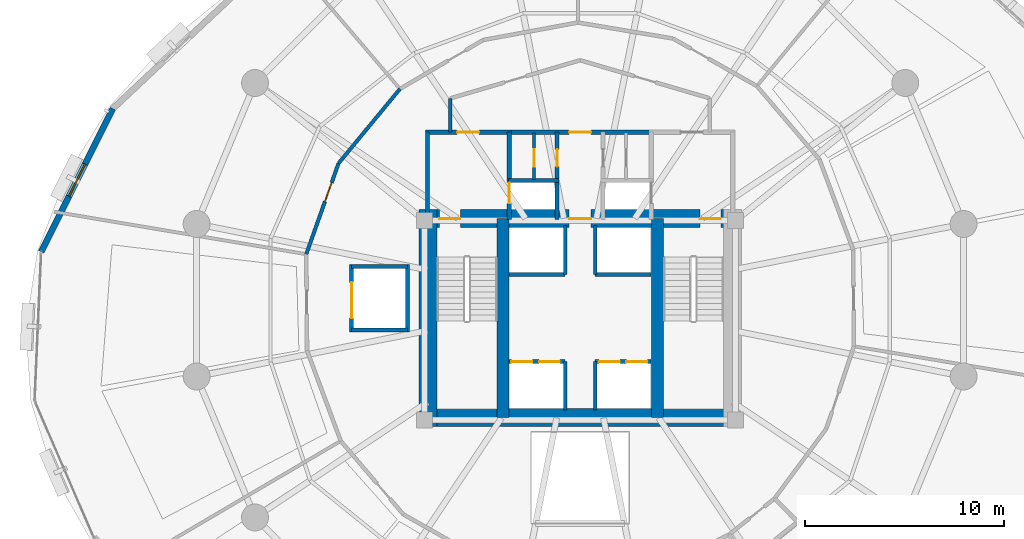
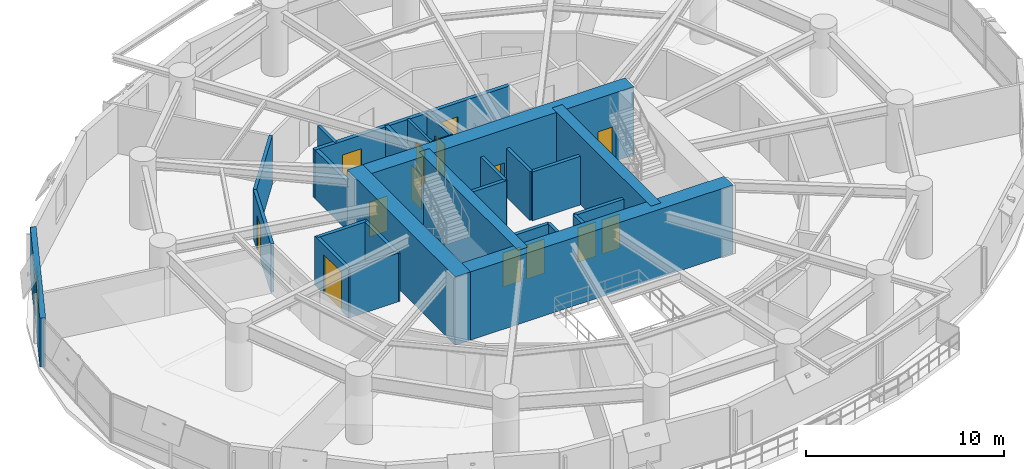
# One storey, part 12 of 17: 28 walls, 14 doors, 1 window, 15 openings.
"""IFC4 building model written with IfcOpenShell, lengths in metres."""

from ifc_helpers import new_model, si_unit, direction, frame, frame_2d, origin, place, context, subcontext, project, spatial, rectangle, extrude, material, layer, layer_set, type_object, element, fill, save


model = new_model("IFC4")

# Units and contexts
model_context = context("Model", 3, precision=1e-05, world=origin(), true_north=direction((0.0, 1.0)))
body_context = subcontext(model_context, "Body", "Model", "MODEL_VIEW")
ifc_project = project(units=[si_unit("LENGTHUNIT", "METRE"), si_unit("AREAUNIT", "SQUARE_METRE"), si_unit("VOLUMEUNIT", "CUBIC_METRE"), si_unit("PLANEANGLEUNIT", "RADIAN"), si_unit("MASSUNIT", "GRAM", prefix="KILO"), si_unit("THERMODYNAMICTEMPERATUREUNIT", "KELVIN"), si_unit("POWERUNIT", "WATT")], contexts=[model_context])

# Site, building, storey
site_placement = place(None, origin())
site = spatial("IfcSite", under=ifc_project, at=site_placement, CompositionType="ELEMENT")
building_placement = place(site_placement, origin())
building = spatial("IfcBuilding", under=site, at=building_placement, Name="Ocrelia Relay Tower", CompositionType="ELEMENT")
storey_placement = place(building_placement, frame((0.0, 0.0, 76.199951171875)))
storey = spatial("IfcBuildingStorey", under=building, at=storey_placement, Name="L17", CompositionType="ELEMENT", Elevation=76.199951171875)

# Wall
ifc_material_1 = material(Name="Concrete C70/85", Category="concrete")
ifc_layer_1 = layer(ifc_material_1, 0.89990234375, Name="Concrete C70/85")
ifc_layer_set_1 = layer_set([ifc_layer_1], Name="Concrete C70/85")
wall_type_1 = type_object("IfcWallType", Name="CW-CORE-900", PredefinedType="SHEAR", material=ifc_layer_set_1)
wall_1_placement = place(storey_placement, frame((25.922119140625, 20.112060546875, 0.0), z_axis=(0.0, 0.0, 1.0), x_axis=(1.0, 0.0, 0.0)))
element("IfcWall", 1, at=wall_1_placement, inside=storey, type_object=wall_type_1, Name="L17 Core Shear Wall S", PredefinedType="SHEAR", context=body_context, shape_type="SweptSolid", body=[
    extrude(rectangle(XDim=16.165771484375, YDim=0.89990234375, at=frame_2d((8.0830078125, 0.0))), origin(), (0.0, 0.0, 1.0), 4.199951171875),
])

# Wall, openings, doors
wall_2_placement = place(storey_placement, frame((25.922119140625, 30.087890625, 0.0), z_axis=(0.0, 0.0, 1.0), x_axis=(1.0, 0.0, 0.0)))
wall_2 = element("IfcWall", 2, at=wall_2_placement, inside=storey, type_object=wall_type_1, Name="L17 Core Shear Wall N", PredefinedType="SHEAR", context=body_context, shape_type="SweptSolid", body=[
    extrude(rectangle(XDim=16.165771484375, YDim=0.89990234375, at=frame_2d((8.0830078125, 0.0))), origin(), (0.0, 0.0, 1.0), 4.199951171875),
])
opening_1_placement = place(wall_2_placement, frame((1.028076171875, 0.0, 0.0)))
opening_1 = element("IfcOpeningElement", 3, at=opening_1_placement, cuts=wall_2, Name="Opening D-FD90", PredefinedType="OPENING", context=body_context, shape_type="SweptSolid", body=[
    extrude(rectangle(XDim=1.050048828125, YDim=2.14990234375, at=frame_2d((0.52490234375, 1.074951171875))), frame((0.0, 0.4599609375, 0.0), z_axis=(0.0, -1.0, 0.0), x_axis=(1.0, 0.0, 0.0)), (0.0, 0.0, 1.0), 0.919921875),
])
opening_2_placement = place(wall_2_placement, frame((14.077880859375, 0.0, 0.0)))
opening_2 = element("IfcOpeningElement", 4, at=opening_2_placement, cuts=wall_2, Name="Opening D-FD90", PredefinedType="OPENING", context=body_context, shape_type="SweptSolid", body=[
    extrude(rectangle(XDim=1.050048828125, YDim=2.14990234375, at=frame_2d((0.52490234375, 1.074951171875))), frame((0.0, 0.4599609375, 0.0), z_axis=(0.0, -1.0, 0.0), x_axis=(1.0, 0.0, 0.0)), (0.0, 0.0, 1.0), 0.919921875),
])
opening_3_placement = place(wall_2_placement, frame((7.528076171875, 0.0, 0.0)))
opening_3 = element("IfcOpeningElement", 5, at=opening_3_placement, cuts=wall_2, Name="Opening D-FD60", PredefinedType="OPENING", context=body_context, shape_type="SweptSolid", body=[
    extrude(rectangle(XDim=1.10009765625, YDim=2.14990234375, at=frame_2d((0.550048828125, 1.074951171875))), frame((0.0, 0.4599609375, 0.0), z_axis=(0.0, -1.0, 0.0), x_axis=(1.0, 0.0, 0.0)), (0.0, 0.0, 1.0), 0.919921875),
])
ifc_material_2 = material(Name="Timber-core 60-min acoustic fire door", Category="wood")
door_type_1 = type_object("IfcDoorType", Name="DR-LOBBY-FD60-1100", OperationType="NOTDEFINED", PredefinedType="DOOR", material=ifc_material_2)
door_1_placement = place(opening_3_placement, origin())
door_1 = element("IfcDoor", 6, at=door_1_placement, inside=storey, type_object=door_type_1, Name="L17 Core Lift Lobby North Fire Door", OperationType="SINGLE_SWING_RIGHT", OverallHeight=2.14990234375, OverallWidth=1.10009765625, PredefinedType="DOOR", context=body_context, shape_type="SweptSolid", body=[
    extrude(rectangle(XDim=1.10009765625, YDim=2.14990234375, at=frame_2d((0.550048828125, 1.074951171875))), frame((0.0, 0.02490234375, 0.0), z_axis=(0.0, -1.0, 0.0), x_axis=(1.0, 0.0, 0.0)), (0.0, 0.0, 1.0), 0.050048828125),
])
fill(opening_3, door_1)
ifc_material_3 = material(Name="Steel S355 90-min fire door", Category="steel")
door_type_2 = type_object("IfcDoorType", Name="DR-STAIR-FD90-1050", OperationType="NOTDEFINED", PredefinedType="DOOR", material=ifc_material_3)
door_2_placement = place(opening_1_placement, origin())
door_2 = element("IfcDoor", 7, at=door_2_placement, inside=storey, type_object=door_type_2, Name="L17 Stair ST1 Fire Door", OperationType="SINGLE_SWING_RIGHT", OverallHeight=2.14990234375, OverallWidth=1.050048828125, PredefinedType="DOOR", context=body_context, shape_type="SweptSolid", body=[
    extrude(rectangle(XDim=1.050048828125, YDim=2.14990234375, at=frame_2d((0.52490234375, 1.074951171875))), frame((0.0, 0.02490234375, 0.0), z_axis=(0.0, -1.0, 0.0), x_axis=(1.0, 0.0, 0.0)), (0.0, 0.0, 1.0), 0.050048828125),
])
fill(opening_1, door_2)
door_3_placement = place(opening_2_placement, origin())
door_3 = element("IfcDoor", 8, at=door_3_placement, inside=storey, type_object=door_type_2, Name="L17 Stair ST2 Fire Door", OperationType="SINGLE_SWING_LEFT", OverallHeight=2.14990234375, OverallWidth=1.050048828125, PredefinedType="DOOR", context=body_context, shape_type="SweptSolid", body=[
    extrude(rectangle(XDim=1.050048828125, YDim=2.14990234375, at=frame_2d((0.52490234375, 1.074951171875))), frame((0.0, 0.02490234375, 0.0), z_axis=(0.0, -1.0, 0.0), x_axis=(1.0, 0.0, 0.0)), (0.0, 0.0, 1.0), 0.050048828125),
])
fill(opening_2, door_3)

# Walls
wall_3_placement = place(storey_placement, frame((26.3720703125, 19.662109375, 0.0), z_axis=(0.0, 0.0, 1.0), x_axis=(0.0, 1.0, 0.0)))
element("IfcWall", 9, at=wall_3_placement, inside=storey, type_object=wall_type_1, Name="L17 Core Shear Wall W", PredefinedType="SHEAR", context=body_context, shape_type="SweptSolid", body=[
    extrude(rectangle(XDim=10.8759765625, YDim=0.89990234375, at=frame_2d((5.43798828125, 0.0))), origin(), (0.0, 0.0, 1.0), 4.199951171875),
])
for number, where, z_axis, x_axis, name in (
    (10, (30.137939453125, 20.112060546875, 0.0), (0.0, 0.0, 1.0), (0.0, 1.0, 0.0), "L17 Core Shear Wall SPW"),
    (11, (37.8720703125, 20.112060546875, 0.0), (0.0, 0.0, 1.0), (0.0, 1.0, 0.0), "L17 Core Shear Wall SPE"),
):
    element("IfcWall", number, at=place(storey_placement, frame(where, z_axis=z_axis, x_axis=x_axis)), inside=storey, type_object=wall_type_1, Name=name, PredefinedType="SHEAR", context=body_context, shape_type="SweptSolid", body=[
        extrude(rectangle(XDim=9.975830078125, YDim=0.60009765625, at=frame_2d((4.98779296875, 0.0))), origin(), (0.0, 0.0, 1.0), 4.199951171875),
    ])
ifc_material_4 = material(Name="Gypsum Fireboard Partition EI60", Category="gypsum")
ifc_layer_2 = layer(ifc_material_4, 0.179931640625, Name="Gypsum Fireboard Partition EI60")
ifc_layer_set_2 = layer_set([ifc_layer_2], Name="Gypsum Fireboard Partition EI60")
wall_type_2 = type_object("IfcWallType", Name="W-CORR-EI60-180", PredefinedType="PARTITIONING", material=ifc_layer_set_2)
wall_4_placement = place(storey_placement, frame((27.5, 34.429931640625, 0.0), z_axis=(0.0, 0.0, 1.0), x_axis=(0.0, 1.0, 0.0)))
element("IfcWall", 12, at=wall_4_placement, inside=storey, type_object=wall_type_2, Name="L17 Smoke Lobby West Return", PredefinedType="PARTITIONING", context=body_context, shape_type="SweptSolid", body=[
    extrude(rectangle(XDim=1.69287109375, YDim=0.179931640625, at=frame_2d((0.846435546875, 0.0))), origin(), (0.0, 0.0, 1.0), 3.0),
])
wall_5_placement = place(storey_placement, frame((24.968994140625, 36.5927734375, 0.0), z_axis=(0.0, 0.0, 1.0), x_axis=(-0.636745713157, -0.771073859481, 0.0)))
element("IfcWall", 13, at=wall_5_placement, inside=storey, type_object=wall_type_2, Name="L17 Cable Drum Store Corridor Partition 1", PredefinedType="PARTITIONING", context=body_context, shape_type="SweptSolid", body=[
    extrude(rectangle(XDim=4.83447265625, YDim=0.179931640625, at=frame_2d((2.417236328125, 0.0))), origin(), (0.0, 0.0, 1.0), 3.0),
])

# Wall, opening, door
wall_6_placement = place(storey_placement, frame((21.890625, 32.864990234375, 0.0), z_axis=(0.0, 0.0, 1.0), x_axis=(-0.334621083093, -0.942352763433, 0.0)))
wall_6 = element("IfcWall", 14, at=wall_6_placement, inside=storey, type_object=wall_type_2, Name="L17 Cable Drum Store Corridor Partition 2", PredefinedType="PARTITIONING", context=body_context, shape_type="SweptSolid", body=[
    extrude(rectangle(XDim=4.83447265625, YDim=0.179931640625, at=frame_2d((2.417236328125, 0.0))), origin(), (0.0, 0.0, 1.0), 3.0),
])
opening_4_placement = place(wall_6_placement, frame((1.03369140625, 0.0, 0.0)))
opening_4 = element("IfcOpeningElement", 15, at=opening_4_placement, cuts=wall_6, Name="Opening D-RM100", PredefinedType="OPENING", context=body_context, shape_type="SweptSolid", body=[
    extrude(rectangle(XDim=1.0, YDim=2.14990234375, at=frame_2d((0.5, 1.074951171875))), frame((0.0, 0.10009765625, 0.0), z_axis=(0.0, -1.0, 0.0), x_axis=(1.0, 0.0, 0.0)), (0.0, 0.0, 1.0), 0.199951171875),
])
ifc_material_5 = material(Name="Acoustic oak veneer fire door", Category="wood")
door_type_3 = type_object("IfcDoorType", Name="DR-ROOM-FD60-1000", OperationType="NOTDEFINED", PredefinedType="DOOR", material=ifc_material_5)
door_4_placement = place(opening_4_placement, origin())
door_4 = element("IfcDoor", 16, at=door_4_placement, inside=storey, type_object=door_type_3, Name="L17 Cable Drum Store Entrance Door", OperationType="SINGLE_SWING_RIGHT", OverallHeight=2.14990234375, OverallWidth=1.0, PredefinedType="DOOR", context=body_context, shape_type="SweptSolid", body=[
    extrude(rectangle(XDim=1.0, YDim=2.14990234375, at=frame_2d((0.5, 1.074951171875))), frame((0.0, 0.02490234375, 0.0), z_axis=(0.0, -1.0, 0.0), x_axis=(1.0, 0.0, 0.0)), (0.0, 0.0, 1.0), 0.050048828125),
])
fill(opening_4, door_4)

# Wall, opening, window
ifc_material_6 = material(Name="Precast concrete C40/50 with oxide terracotta", Category="masonry")
ifc_layer_3 = layer(ifc_material_6, 0.300048828125, Name="Precast concrete C40/50 with oxide terracotta")
ifc_layer_set_3 = layer_set([ifc_layer_3], Name="Precast concrete C40/50 with oxide terracotta")
wall_type_3 = type_object("IfcWallType", Name="W-EXT-TERR-300", PredefinedType="SOLIDWALL", material=ifc_layer_set_3)
wall_7_placement = place(storey_placement, frame((10.573974609375, 35.601806640625, 0.0), z_axis=(0.0, 0.0, 1.0), x_axis=(-0.44697009801, -0.894548898319, 0.0)))
wall_7 = element("IfcWall", 17, at=wall_7_placement, inside=storey, type_object=wall_type_3, Name="L17 Oxide Terracotta Facade Wall 08", PredefinedType="SOLIDWALL", context=body_context, shape_type="SweptSolid", body=[
    extrude(rectangle(XDim=8.021728515625, YDim=0.300048828125, at=frame_2d((4.0107421875, 0.0))), origin(), (0.0, 0.0, 1.0), 3.0),
])
opening_5_placement = place(wall_7_placement, frame((3.111083984375, 0.0, 0.800048828125)))
opening_5 = element("IfcOpeningElement", 18, at=opening_5_placement, cuts=wall_7, Name="Opening W-02", PredefinedType="OPENING", context=body_context, shape_type="SweptSolid", body=[
    extrude(rectangle(XDim=1.800048828125, YDim=1.949951171875, at=frame_2d((0.89990234375, 0.97509765625))), frame((0.0, 0.16015625, 0.0), z_axis=(0.0, -1.0, 0.0), x_axis=(1.0, 0.0, 0.0)), (0.0, 0.0, 1.0), 0.320068359375),
])
ifc_material_7 = material(Name="Clear double-glazed low-E glass", Category="glass")
window_type = type_object("IfcWindowType", Name="WIN-Z1-1800x2100", PartitioningType="DOUBLE_PANEL_VERTICAL", PredefinedType="WINDOW", material=ifc_material_7)
window_placement = place(opening_5_placement, origin())
window = element("IfcWindow", 19, at=window_placement, inside=storey, type_object=window_type, Name="L17 Facade Module Window 08", OverallHeight=1.949951171875, OverallWidth=1.800048828125, PartitioningType="SINGLE_PANEL", PredefinedType="WINDOW", context=body_context, shape_type="SweptSolid", body=[
    extrude(rectangle(XDim=1.800048828125, YDim=1.949951171875, at=frame_2d((0.89990234375, 0.97509765625))), frame((0.0, 0.030029296875, 0.0), z_axis=(0.0, -1.0, 0.0), x_axis=(1.0, 0.0, 0.0)), (0.0, 0.0, 1.0), 0.06005859375),
])
fill(opening_5, window)

# Wall
ifc_material_8 = material(Name="Concrete C50/60", Category="concrete")
ifc_layer_4 = layer(ifc_material_8, 0.219970703125, Name="Concrete C50/60")
ifc_layer_set_4 = layer_set([ifc_layer_4], Name="Concrete C50/60")
wall_type_4 = type_object("IfcWallType", Name="W-FFL-EI120-220", PredefinedType="SOLIDWALL", material=ifc_layer_set_4)
wall_8_placement = place(storey_placement, frame((26.35009765625, 30.050048828125, 0.0), z_axis=(0.0, 0.0, 1.0), x_axis=(0.0, 1.0, 0.0)))
element("IfcWall", 20, at=wall_8_placement, inside=storey, type_object=wall_type_4, Name="L17 W Fire Service Lift Lobby West Wall", PredefinedType="SOLIDWALL", context=body_context, shape_type="SweptSolid", body=[
    extrude(rectangle(XDim=4.3798828125, YDim=0.219970703125, at=frame_2d((2.18994140625, 0.0))), origin(), (0.0, 0.0, 1.0), 3.0),
])

# Wall, opening, door
wall_9_placement = place(storey_placement, frame((30.43994140625, 30.050048828125, 0.0), z_axis=(0.0, 0.0, 1.0), x_axis=(0.0, 1.0, 0.0)))
wall_9 = element("IfcWall", 21, at=wall_9_placement, inside=storey, type_object=wall_type_4, Name="L17 W Fire Service Lift Lobby East Wall", PredefinedType="SOLIDWALL", context=body_context, shape_type="SweptSolid", body=[
    extrude(rectangle(XDim=4.3798828125, YDim=0.219970703125, at=frame_2d((2.18994140625, 0.0))), origin(), (0.0, 0.0, 1.0), 3.0),
])
opening_6_placement = place(wall_9_placement, frame((0.800048828125, 0.0, 0.0)))
opening_6 = element("IfcOpeningElement", 22, at=opening_6_placement, cuts=wall_9, Name="Opening LD-FFL1", PredefinedType="OPENING", context=body_context, shape_type="SweptSolid", body=[
    extrude(rectangle(XDim=1.050048828125, YDim=2.10009765625, at=frame_2d((0.52490234375, 1.050048828125))), frame((0.0, 0.1201171875, 0.0), z_axis=(0.0, -1.0, 0.0), x_axis=(1.0, 0.0, 0.0)), (0.0, 0.0, 1.0), 0.239990234375),
])
ifc_material_9 = material(Name="Brushed stainless steel S355 lift landing door", Category="steel")
door_type_4 = type_object("IfcDoorType", Name="DR-LIFT-LAND-1050", OperationType="DOUBLE_DOOR_SLIDING", PredefinedType="USERDEFINED", material=ifc_material_9)
door_5_placement = place(opening_6_placement, origin())
door_5 = element("IfcDoor", 23, at=door_5_placement, inside=storey, type_object=door_type_4, Name="L17 Firefighting Lift FFL1 Sliding Landing Door", ObjectType="LANDING DOOR", OperationType="DOUBLE_DOOR_SLIDING", OverallHeight=2.10009765625, OverallWidth=1.050048828125, PredefinedType="USERDEFINED", context=body_context, shape_type="SweptSolid", body=[
    extrude(rectangle(XDim=1.050048828125, YDim=2.10009765625, at=frame_2d((0.52490234375, 1.050048828125))), frame((0.0, 0.02490234375, 0.0), z_axis=(0.0, -1.0, 0.0), x_axis=(1.0, 0.0, 0.0)), (0.0, 0.0, 1.0), 0.050048828125),
])
fill(opening_6, door_5)

wall_10_placement = place(storey_placement, frame((26.239990234375, 34.429931640625, 0.0), z_axis=(0.0, 0.0, 1.0), x_axis=(1.0, 0.0, 0.0)))
wall_10 = element("IfcWall", 24, at=wall_10_placement, inside=storey, type_object=wall_type_4, Name="L17 W Fire Service Lift Lobby North Wall", PredefinedType="SOLIDWALL", context=body_context, shape_type="SweptSolid", body=[
    extrude(rectangle(XDim=4.31005859375, YDim=0.219970703125, at=frame_2d((2.155029296875, 0.0))), origin(), (0.0, 0.0, 1.0), 3.0),
])
opening_7_placement = place(wall_10_placement, frame((1.60009765625, 0.0, 0.0)))
opening_7 = element("IfcOpeningElement", 25, at=opening_7_placement, cuts=wall_10, Name="Opening D-FD60", PredefinedType="OPENING", context=body_context, shape_type="SweptSolid", body=[
    extrude(rectangle(XDim=1.10009765625, YDim=2.14990234375, at=frame_2d((0.550048828125, 1.074951171875))), frame((0.0, 0.1201171875, 0.0), z_axis=(0.0, -1.0, 0.0), x_axis=(1.0, 0.0, 0.0)), (0.0, 0.0, 1.0), 0.239990234375),
])
door_6_placement = place(opening_7_placement, origin())
door_6 = element("IfcDoor", 26, at=door_6_placement, inside=storey, type_object=door_type_1, Name="L17 W Fire Service Lift Lobby Exit Door", OperationType="SINGLE_SWING_LEFT", OverallHeight=2.14990234375, OverallWidth=1.10009765625, PredefinedType="DOOR", context=body_context, shape_type="SweptSolid", body=[
    extrude(rectangle(XDim=1.10009765625, YDim=2.14990234375, at=frame_2d((0.550048828125, 1.074951171875))), frame((0.0, 0.02490234375, 0.0), z_axis=(0.0, -1.0, 0.0), x_axis=(1.0, 0.0, 0.0)), (0.0, 0.0, 1.0), 0.050048828125),
])
fill(opening_7, door_6)

wall_11_placement = place(storey_placement, frame((30.43994140625, 34.429931640625, 0.0), z_axis=(0.0, 0.0, 1.0), x_axis=(1.0, 0.0, 0.0)))
wall_11 = element("IfcWall", 27, at=wall_11_placement, inside=storey, type_object=wall_type_4, Name="L17 North Core Vestibule Wall", PredefinedType="SOLIDWALL", context=body_context, shape_type="SweptSolid", body=[
    extrude(rectangle(XDim=7.1201171875, YDim=0.219970703125, at=frame_2d((3.56005859375, 0.0))), origin(), (0.0, 0.0, 1.0), 3.0),
])
opening_8_placement = place(wall_11_placement, frame((3.010009765625, 0.0, 0.0)))
opening_8 = element("IfcOpeningElement", 28, at=opening_8_placement, cuts=wall_11, Name="Opening D-FD60", PredefinedType="OPENING", context=body_context, shape_type="SweptSolid", body=[
    extrude(rectangle(XDim=1.10009765625, YDim=2.14990234375, at=frame_2d((0.550048828125, 1.074951171875))), frame((0.0, 0.1201171875, 0.0), z_axis=(0.0, -1.0, 0.0), x_axis=(1.0, 0.0, 0.0)), (0.0, 0.0, 1.0), 0.239990234375),
])
door_7_placement = place(opening_8_placement, origin())
door_7 = element("IfcDoor", 29, at=door_7_placement, inside=storey, type_object=door_type_1, Name="L17 North Core Vestibule Corridor Door", OperationType="SINGLE_SWING_LEFT", OverallHeight=2.14990234375, OverallWidth=1.10009765625, PredefinedType="DOOR", context=body_context, shape_type="SweptSolid", body=[
    extrude(rectangle(XDim=1.10009765625, YDim=2.14990234375, at=frame_2d((0.550048828125, 1.074951171875))), frame((0.0, 0.02490234375, 0.0), z_axis=(0.0, -1.0, 0.0), x_axis=(1.0, 0.0, 0.0)), (0.0, 0.0, 1.0), 0.050048828125),
])
fill(opening_8, door_7)

ifc_material_10 = material(Name="Acoustic Fireboard Partition EI60", Category="gypsum")
ifc_layer_5 = layer(ifc_material_10, 0.14990234375, Name="Acoustic Fireboard Partition EI60")
ifc_layer_set_5 = layer_set([ifc_layer_5], Name="Acoustic Fireboard Partition EI60")
wall_type_5 = type_object("IfcWallType", Name="W-PART-150", PredefinedType="PARTITIONING", material=ifc_layer_set_5)
wall_12_placement = place(storey_placement, frame((31.68994140625, 32.050048828125, 0.0), z_axis=(0.0, 0.0, 1.0), x_axis=(0.0, 1.0, 0.0)))
wall_12 = element("IfcWall", 30, at=wall_12_placement, inside=storey, type_object=wall_type_5, Name="L17 West Core Support Partition", PredefinedType="PARTITIONING", context=body_context, shape_type="SweptSolid", body=[
    extrude(rectangle(XDim=2.329833984375, YDim=0.14990234375, at=frame_2d((1.1650390625, 0.0))), origin(), (0.0, 0.0, 1.0), 3.0),
])
opening_9_placement = place(wall_12_placement, frame((0.64990234375, 0.0, 0.0)))
opening_9 = element("IfcOpeningElement", 31, at=opening_9_placement, cuts=wall_12, Name="Opening D-RS86", PredefinedType="OPENING", context=body_context, shape_type="SweptSolid", body=[
    extrude(rectangle(XDim=0.860107421875, YDim=2.050048828125, at=frame_2d((0.43017578125, 1.02490234375))), frame((0.0, 0.0849609375, 0.0), z_axis=(0.0, -1.0, 0.0), x_axis=(1.0, 0.0, 0.0)), (0.0, 0.0, 1.0), 0.169921875),
])
ifc_material_11 = material(Name="Steel S355 riser access fire door", Category="steel")
door_type_5 = type_object("IfcDoorType", Name="DR-RISER-TRAP-860", OperationType="NOTDEFINED", PredefinedType="TRAPDOOR", material=ifc_material_11)
door_8_placement = place(opening_9_placement, origin())
door_8 = element("IfcDoor", 32, at=door_8_placement, inside=storey, type_object=door_type_5, Name="L17 West Core Store Connecting Door", OperationType="SINGLE_SWING_RIGHT", OverallHeight=2.050048828125, OverallWidth=0.860107421875, PredefinedType="TRAPDOOR", context=body_context, shape_type="SweptSolid", body=[
    extrude(rectangle(XDim=0.860107421875, YDim=2.050048828125, at=frame_2d((0.43017578125, 1.02490234375))), frame((0.0, 0.02490234375, 0.0), z_axis=(0.0, -1.0, 0.0), x_axis=(1.0, 0.0, 0.0)), (0.0, 0.0, 1.0), 0.050048828125),
])
fill(opening_9, door_8)

# Wall
ifc_layer_6 = layer(ifc_material_8, 0.199951171875, Name="Concrete C50/60")
ifc_layer_set_6 = layer_set([ifc_layer_6], Name="Concrete C50/60")
wall_type_6 = type_object("IfcWallType", Name="W-SHAFT-EI120-200", PredefinedType="SOLIDWALL", material=ifc_layer_set_6)
wall_13_placement = place(storey_placement, frame((30.39990234375, 32.0, 0.0), z_axis=(0.0, 0.0, 1.0), x_axis=(1.0, 0.0, 0.0)))
element("IfcWall", 33, at=wall_13_placement, inside=storey, type_object=wall_type_6, Name="L17 FFL1 Hoistway North Wall", PredefinedType="SOLIDWALL", context=body_context, shape_type="SweptSolid", body=[
    extrude(rectangle(XDim=2.550048828125, YDim=0.199951171875, at=frame_2d((1.27490234375, 0.0))), origin(), (0.0, 0.0, 1.0), 3.0),
])

# Wall, opening, door
wall_14_placement = place(storey_placement, frame((32.85009765625, 30.050048828125, 0.0), z_axis=(0.0, 0.0, 1.0), x_axis=(0.0, 1.0, 0.0)))
wall_14 = element("IfcWall", 34, at=wall_14_placement, inside=storey, type_object=wall_type_6, Name="L17 FFL1 and Service Vestibule Wall", PredefinedType="SOLIDWALL", context=body_context, shape_type="SweptSolid", body=[
    extrude(rectangle(XDim=4.3798828125, YDim=0.199951171875, at=frame_2d((2.18994140625, 0.0))), origin(), (0.0, 0.0, 1.0), 3.0),
])
opening_10_placement = place(wall_14_placement, frame((2.64990234375, 0.0, 0.0)))
opening_10 = element("IfcOpeningElement", 35, at=opening_10_placement, cuts=wall_14, Name="Opening D-RS86", PredefinedType="OPENING", context=body_context, shape_type="SweptSolid", body=[
    extrude(rectangle(XDim=0.860107421875, YDim=2.050048828125, at=frame_2d((0.43017578125, 1.02490234375))), frame((0.0, 0.10986328125, 0.0), z_axis=(0.0, -1.0, 0.0), x_axis=(1.0, 0.0, 0.0)), (0.0, 0.0, 1.0), 0.219970703125),
])
door_9_placement = place(opening_10_placement, origin())
door_9 = element("IfcDoor", 36, at=door_9_placement, inside=storey, type_object=door_type_5, Name="L17 Core Support Room W Door", OperationType="SINGLE_SWING_RIGHT", OverallHeight=2.050048828125, OverallWidth=0.860107421875, PredefinedType="TRAPDOOR", context=body_context, shape_type="SweptSolid", body=[
    extrude(rectangle(XDim=0.860107421875, YDim=2.050048828125, at=frame_2d((0.43017578125, 1.02490234375))), frame((0.0, 0.02490234375, 0.0), z_axis=(0.0, -1.0, 0.0), x_axis=(1.0, 0.0, 0.0)), (0.0, 0.0, 1.0), 0.050048828125),
])
fill(opening_10, door_9)

# Wall, openings, doors
wall_15_placement = place(storey_placement, frame((30.43994140625, 22.919921875, 0.0), z_axis=(0.0, 0.0, 1.0), x_axis=(1.0, 0.0, 0.0)))
wall_15 = element("IfcWall", 37, at=wall_15_placement, inside=storey, type_object=wall_type_6, Name="L17 Low-Rise Lift Hoistway Wall W", PredefinedType="SOLIDWALL", context=body_context, shape_type="SweptSolid", body=[
    extrude(rectangle(XDim=2.81005859375, YDim=0.199951171875, at=frame_2d((1.405029296875, 0.0))), origin(), (0.0, 0.0, 1.0), 3.0),
])
opening_11_placement = place(wall_15_placement, frame((0.1201171875, 0.0, 0.0)))
opening_11 = element("IfcOpeningElement", 38, at=opening_11_placement, cuts=wall_15, Name="Opening LD-PL1", PredefinedType="OPENING", context=body_context, shape_type="SweptSolid", body=[
    extrude(rectangle(XDim=1.050048828125, YDim=2.10009765625, at=frame_2d((0.52490234375, 1.050048828125))), frame((0.0, 0.10986328125, 0.0), z_axis=(0.0, -1.0, 0.0), x_axis=(1.0, 0.0, 0.0)), (0.0, 0.0, 1.0), 0.219970703125),
])
opening_12_placement = place(wall_15_placement, frame((1.5, 0.0, 0.0)))
opening_12 = element("IfcOpeningElement", 39, at=opening_12_placement, cuts=wall_15, Name="Opening LD-PL2", PredefinedType="OPENING", context=body_context, shape_type="SweptSolid", body=[
    extrude(rectangle(XDim=1.050048828125, YDim=2.10009765625, at=frame_2d((0.52490234375, 1.050048828125))), frame((0.0, 0.10986328125, 0.0), z_axis=(0.0, -1.0, 0.0), x_axis=(1.0, 0.0, 0.0)), (0.0, 0.0, 1.0), 0.219970703125),
])
door_10_placement = place(opening_11_placement, origin())
door_10 = element("IfcDoor", 40, at=door_10_placement, inside=storey, type_object=door_type_4, Name="L17 Passenger Lift PL1 Sliding Landing Door", ObjectType="LANDING DOOR", OperationType="DOUBLE_DOOR_SLIDING", OverallHeight=2.10009765625, OverallWidth=1.050048828125, PredefinedType="USERDEFINED", context=body_context, shape_type="SweptSolid", body=[
    extrude(rectangle(XDim=1.050048828125, YDim=2.10009765625, at=frame_2d((0.52490234375, 1.050048828125))), frame((0.0, 0.02490234375, 0.0), z_axis=(0.0, -1.0, 0.0), x_axis=(1.0, 0.0, 0.0)), (0.0, 0.0, 1.0), 0.050048828125),
])
fill(opening_11, door_10)
door_11_placement = place(opening_12_placement, origin())
door_11 = element("IfcDoor", 41, at=door_11_placement, inside=storey, type_object=door_type_4, Name="L17 Passenger Lift PL2 Sliding Landing Door", ObjectType="LANDING DOOR", OperationType="DOUBLE_DOOR_SLIDING", OverallHeight=2.10009765625, OverallWidth=1.050048828125, PredefinedType="USERDEFINED", context=body_context, shape_type="SweptSolid", body=[
    extrude(rectangle(XDim=1.050048828125, YDim=2.10009765625, at=frame_2d((0.52490234375, 1.050048828125))), frame((0.0, 0.02490234375, 0.0), z_axis=(0.0, -1.0, 0.0), x_axis=(1.0, 0.0, 0.0)), (0.0, 0.0, 1.0), 0.050048828125),
])
fill(opening_12, door_11)

# Wall
wall_16_placement = place(storey_placement, frame((33.25, 20.5, 0.0), z_axis=(0.0, 0.0, 1.0), x_axis=(0.0, 1.0, 0.0)))
element("IfcWall", 42, at=wall_16_placement, inside=storey, type_object=wall_type_6, Name="L17 Low-Rise Lift Throat Wall W", PredefinedType="SOLIDWALL", context=body_context, shape_type="SweptSolid", body=[
    extrude(rectangle(XDim=2.419921875, YDim=0.179931640625, at=frame_2d((1.2099609375, 0.0))), origin(), (0.0, 0.0, 1.0), 3.0),
])

# Wall, openings, doors
wall_17_placement = place(storey_placement, frame((34.75, 22.919921875, 0.0), z_axis=(0.0, 0.0, 1.0), x_axis=(1.0, 0.0, 0.0)))
wall_17 = element("IfcWall", 43, at=wall_17_placement, inside=storey, type_object=wall_type_6, Name="L17 Low-Rise Lift Hoistway Wall E", PredefinedType="SOLIDWALL", context=body_context, shape_type="SweptSolid", body=[
    extrude(rectangle(XDim=2.81005859375, YDim=0.199951171875, at=frame_2d((1.405029296875, 0.0))), origin(), (0.0, 0.0, 1.0), 3.0),
])
opening_13_placement = place(wall_17_placement, frame((0.18994140625, 0.0, 0.0)))
opening_13 = element("IfcOpeningElement", 44, at=opening_13_placement, cuts=wall_17, Name="Opening LD-PL3", PredefinedType="OPENING", context=body_context, shape_type="SweptSolid", body=[
    extrude(rectangle(XDim=1.050048828125, YDim=2.10009765625, at=frame_2d((0.52490234375, 1.050048828125))), frame((0.0, 0.10986328125, 0.0), z_axis=(0.0, -1.0, 0.0), x_axis=(1.0, 0.0, 0.0)), (0.0, 0.0, 1.0), 0.219970703125),
])
opening_14_placement = place(wall_17_placement, frame((1.570068359375, 0.0, 0.0)))
opening_14 = element("IfcOpeningElement", 45, at=opening_14_placement, cuts=wall_17, Name="Opening LD-PL4", PredefinedType="OPENING", context=body_context, shape_type="SweptSolid", body=[
    extrude(rectangle(XDim=1.050048828125, YDim=2.10009765625, at=frame_2d((0.52490234375, 1.050048828125))), frame((0.0, 0.10986328125, 0.0), z_axis=(0.0, -1.0, 0.0), x_axis=(1.0, 0.0, 0.0)), (0.0, 0.0, 1.0), 0.219970703125),
])
door_12_placement = place(opening_13_placement, origin())
door_12 = element("IfcDoor", 46, at=door_12_placement, inside=storey, type_object=door_type_4, Name="L17 Passenger Lift PL3 Sliding Landing Door", ObjectType="LANDING DOOR", OperationType="DOUBLE_DOOR_SLIDING", OverallHeight=2.10009765625, OverallWidth=1.050048828125, PredefinedType="USERDEFINED", context=body_context, shape_type="SweptSolid", body=[
    extrude(rectangle(XDim=1.050048828125, YDim=2.10009765625, at=frame_2d((0.52490234375, 1.050048828125))), frame((0.0, 0.02490234375, 0.0), z_axis=(0.0, -1.0, 0.0), x_axis=(1.0, 0.0, 0.0)), (0.0, 0.0, 1.0), 0.050048828125),
])
fill(opening_13, door_12)
door_13_placement = place(opening_14_placement, origin())
door_13 = element("IfcDoor", 47, at=door_13_placement, inside=storey, type_object=door_type_4, Name="L17 Passenger Lift PL4 Sliding Landing Door", ObjectType="LANDING DOOR", OperationType="DOUBLE_DOOR_SLIDING", OverallHeight=2.10009765625, OverallWidth=1.050048828125, PredefinedType="USERDEFINED", context=body_context, shape_type="SweptSolid", body=[
    extrude(rectangle(XDim=1.050048828125, YDim=2.10009765625, at=frame_2d((0.52490234375, 1.050048828125))), frame((0.0, 0.02490234375, 0.0), z_axis=(0.0, -1.0, 0.0), x_axis=(1.0, 0.0, 0.0)), (0.0, 0.0, 1.0), 0.050048828125),
])
fill(opening_14, door_13)

# Walls
wall_18_placement = place(storey_placement, frame((34.75, 20.5, 0.0), z_axis=(0.0, 0.0, 1.0), x_axis=(0.0, 1.0, 0.0)))
element("IfcWall", 48, at=wall_18_placement, inside=storey, type_object=wall_type_6, Name="L17 Low-Rise Lift Throat Wall E", PredefinedType="SOLIDWALL", context=body_context, shape_type="SweptSolid", body=[
    extrude(rectangle(XDim=2.419921875, YDim=0.179931640625, at=frame_2d((1.2099609375, 0.0))), origin(), (0.0, 0.0, 1.0), 3.0),
])
wall_19_placement = place(storey_placement, frame((30.43994140625, 27.280029296875, 0.0), z_axis=(0.0, 0.0, 1.0), x_axis=(1.0, 0.0, 0.0)))
element("IfcWall", 49, at=wall_19_placement, inside=storey, type_object=wall_type_6, Name="L17 High-Rise Lift Hoistway Wall W", PredefinedType="SOLIDWALL", context=body_context, shape_type="SweptSolid", body=[
    extrude(rectangle(XDim=2.81005859375, YDim=0.199951171875, at=frame_2d((1.405029296875, 0.0))), origin(), (0.0, 0.0, 1.0), 3.0),
])
wall_20_placement = place(storey_placement, frame((33.25, 27.280029296875, 0.0), z_axis=(0.0, 0.0, 1.0), x_axis=(0.0, 1.0, 0.0)))
element("IfcWall", 50, at=wall_20_placement, inside=storey, type_object=wall_type_6, Name="L17 High-Rise Lift Throat Wall W", PredefinedType="SOLIDWALL", context=body_context, shape_type="SweptSolid", body=[
    extrude(rectangle(XDim=2.469970703125, YDim=0.179931640625, at=frame_2d((1.23486328125, 0.0))), origin(), (0.0, 0.0, 1.0), 3.0),
])
wall_21_placement = place(storey_placement, frame((34.75, 27.280029296875, 0.0), z_axis=(0.0, 0.0, 1.0), x_axis=(1.0, 0.0, 0.0)))
element("IfcWall", 51, at=wall_21_placement, inside=storey, type_object=wall_type_6, Name="L17 High-Rise Lift Hoistway Wall E", PredefinedType="SOLIDWALL", context=body_context, shape_type="SweptSolid", body=[
    extrude(rectangle(XDim=2.81005859375, YDim=0.199951171875, at=frame_2d((1.405029296875, 0.0))), origin(), (0.0, 0.0, 1.0), 3.0),
])
wall_22_placement = place(storey_placement, frame((34.75, 27.280029296875, 0.0), z_axis=(0.0, 0.0, 1.0), x_axis=(0.0, 1.0, 0.0)))
element("IfcWall", 52, at=wall_22_placement, inside=storey, type_object=wall_type_6, Name="L17 High-Rise Lift Throat Wall E", PredefinedType="SOLIDWALL", context=body_context, shape_type="SweptSolid", body=[
    extrude(rectangle(XDim=2.469970703125, YDim=0.179931640625, at=frame_2d((1.23486328125, 0.0))), origin(), (0.0, 0.0, 1.0), 3.0),
])

# Wall, opening, door
wall_23_placement = place(storey_placement, frame((22.550048828125, 24.39990234375, 0.0), z_axis=(0.0, 0.0, 1.0), x_axis=(0.0, 1.0, 0.0)))
wall_23 = element("IfcWall", 53, at=wall_23_placement, inside=storey, type_object=wall_type_6, Name="L17 Goods Lift Shaft West Wall", PredefinedType="SOLIDWALL", context=body_context, shape_type="SweptSolid", body=[
    extrude(rectangle(XDim=3.400146484375, YDim=0.199951171875, at=frame_2d((1.7001953125, 0.0))), origin(), (0.0, 0.0, 1.0), 3.0),
])
opening_15_placement = place(wall_23_placement, frame((0.699951171875, 0.0, 0.0)))
opening_15 = element("IfcOpeningElement", 54, at=opening_15_placement, cuts=wall_23, Name="Opening LD-GL1", PredefinedType="OPENING", context=body_context, shape_type="SweptSolid", body=[
    extrude(rectangle(XDim=1.800048828125, YDim=2.39990234375, at=frame_2d((0.89990234375, 1.199951171875))), frame((0.0, 0.10986328125, 0.0), z_axis=(0.0, -1.0, 0.0), x_axis=(1.0, 0.0, 0.0)), (0.0, 0.0, 1.0), 0.219970703125),
])
ifc_material_12 = material(Name="Heavy-duty stainless steel S355 goods landing door", Category="steel")
door_type_6 = type_object("IfcDoorType", Name="DR-GOODS-LAND-1800", OperationType="DOUBLE_DOOR_SLIDING", PredefinedType="USERDEFINED", material=ifc_material_12)
door_14_placement = place(opening_15_placement, origin())
door_14 = element("IfcDoor", 55, at=door_14_placement, inside=storey, type_object=door_type_6, Name="L17 Goods Lift GL1 Sliding Landing Door", ObjectType="LANDING DOOR", OperationType="DOUBLE_DOOR_SLIDING", OverallHeight=2.39990234375, OverallWidth=1.800048828125, PredefinedType="USERDEFINED", context=body_context, shape_type="SweptSolid", body=[
    extrude(rectangle(XDim=1.800048828125, YDim=2.39990234375, at=frame_2d((0.89990234375, 1.199951171875))), frame((0.0, 0.02490234375, 0.0), z_axis=(0.0, -1.0, 0.0), x_axis=(1.0, 0.0, 0.0)), (0.0, 0.0, 1.0), 0.050048828125),
])
fill(opening_15, door_14)

# Walls
wall_24_placement = place(storey_placement, frame((25.35009765625, 24.39990234375, 0.0), z_axis=(0.0, 0.0, 1.0), x_axis=(0.0, 1.0, 0.0)))
element("IfcWall", 56, at=wall_24_placement, inside=storey, type_object=wall_type_6, Name="L17 Goods Lift Shaft E Wall", PredefinedType="SOLIDWALL", context=body_context, shape_type="SweptSolid", body=[
    extrude(rectangle(XDim=3.400146484375, YDim=0.199951171875, at=frame_2d((1.7001953125, 0.0))), origin(), (0.0, 0.0, 1.0), 3.0),
])
for number, where, z_axis, x_axis, name in (
    (57, (22.550048828125, 24.5, 0.0), (0.0, 0.0, 1.0), (1.0, 0.0, 0.0), "L17 Goods Lift Shaft S Wall"),
    (58, (22.550048828125, 27.699951171875, 0.0), (0.0, 0.0, 1.0), (1.0, 0.0, 0.0), "L17 Goods Lift Shaft N Wall"),
):
    element("IfcWall", number, at=place(storey_placement, frame(where, z_axis=z_axis, x_axis=x_axis)), inside=storey, type_object=wall_type_6, Name=name, PredefinedType="SOLIDWALL", context=body_context, shape_type="SweptSolid", body=[
        extrude(rectangle(XDim=2.800048828125, YDim=0.199951171875, at=frame_2d((1.39990234375, 0.0))), origin(), (0.0, 0.0, 1.0), 3.0),
    ])

save(model, "model.ifc")
